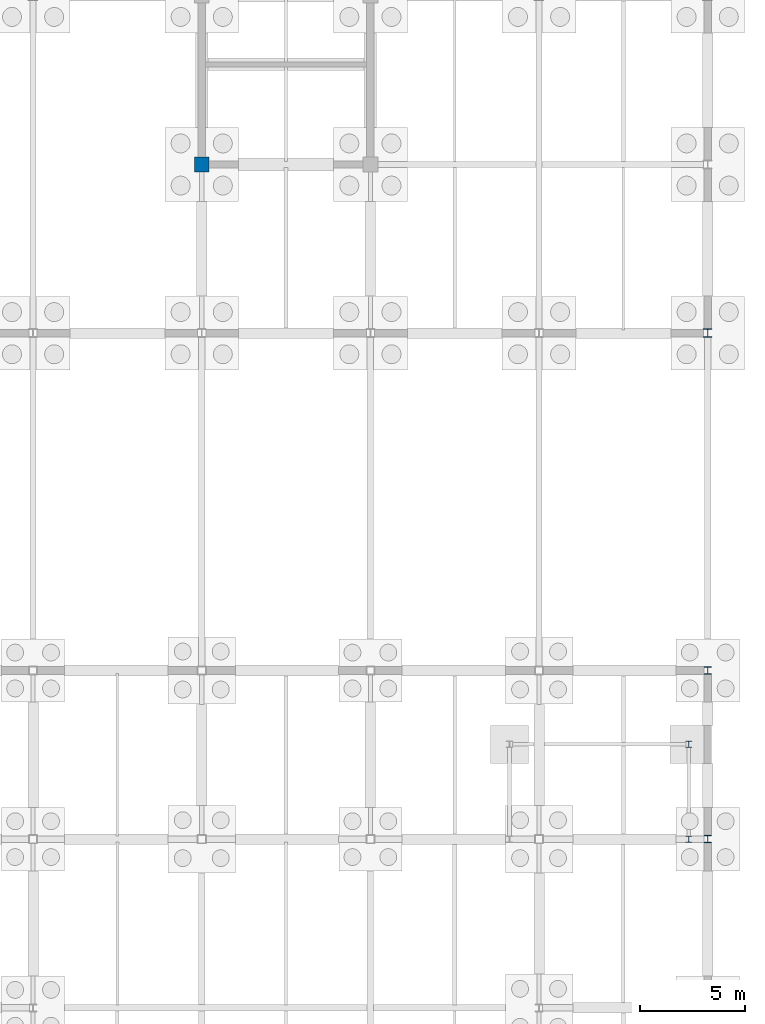
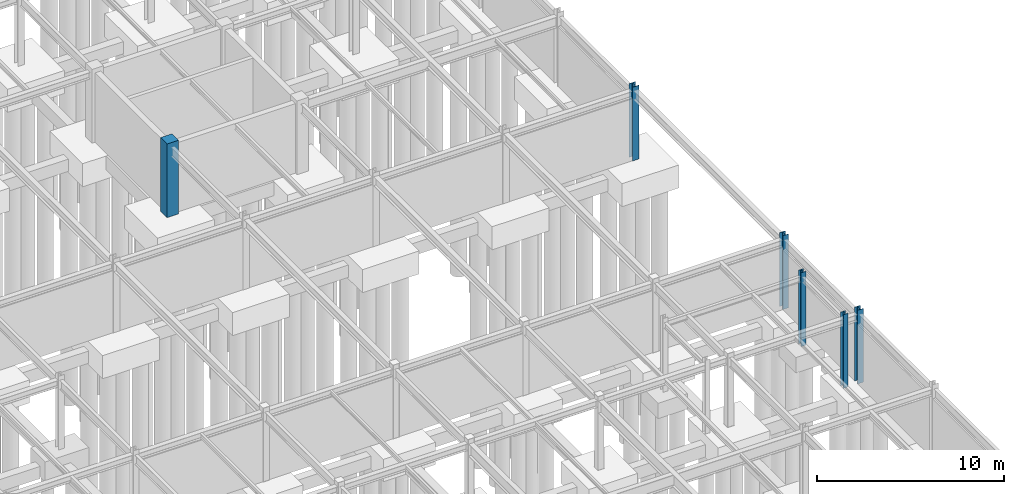
# One storey, part 30 of 72: 6 columns.
"""IFC4 building model written with IfcOpenShell, lengths in metres."""

import ifcopenshell
import ifcopenshell.guid

model = None  # the IFC model being written
_history = None  # IfcOwnerHistory: only IFC2X3 demands one
_inside = {}  # id of a spatial element -> (the spatial element, [elements in it])
_under = {}  # id of a project, library or spatial element -> (it, [spatial elements below it])
_declared = {}  # id of a project -> (the project, [libraries it declares])
_typed = {}  # id of a type object -> (the type object, [elements of that type])
_made_of = {}  # id of a material, layer set ... -> (it, [elements and type objects made of it])


def new_model(schema):
    """Start an empty IFC model of exactly this schema.

    Asked for "IFC4X3", IfcOpenShell would pick the latest addendum, in which some entities
    have other attributes; the version numbers below select the first issue.
    IFC2X3 requires an IfcOwnerHistory on every rooted entity: one is made here for all.
    """
    global model, _history
    if schema == "IFC4X3":
        model = ifcopenshell.file(schema_version=(4, 3, 0, 0))
    else:
        model = ifcopenshell.file(schema=schema)
    _inside.clear()
    _under.clear()
    _declared.clear()
    _typed.clear()
    _made_of.clear()
    _history = None
    if model.schema == "IFC2X3":
        org = make("IfcOrganization", Name="unknown")
        user = make(
            "IfcPersonAndOrganization",
            ThePerson=make("IfcPerson", FamilyName="unknown"),
            TheOrganization=org,
        )
        app = make(
            "IfcApplication",
            ApplicationDeveloper=org,
            Version="unknown",
            ApplicationFullName="unknown",
            ApplicationIdentifier="unknown",
        )
        _history = make(
            "IfcOwnerHistory",
            OwningUser=user,
            OwningApplication=app,
            ChangeAction="ADDED",
            CreationDate=0,
        )
    return model


def make(cls, **values):
    """One entity of the class cls with the attributes given. An attribute that is None is left unset."""
    return model.create_entity(
        cls, **{name: value for name, value in values.items() if value is not None}
    )


def rooted(cls, **values):
    """An entity with a GlobalId (a new one), such as an element, a storey or a relation."""
    return make(cls, GlobalId=ifcopenshell.guid.new(), OwnerHistory=_history, **values)


def si_unit(unit_type, name, prefix=None):
    """IfcSIUnit, for example si_unit("LENGTHUNIT", "METRE", prefix="MILLI")."""
    return make("IfcSIUnit", UnitType=unit_type, Prefix=prefix, Name=name)


def assignment(units):
    """IfcUnitAssignment: the units of a project."""
    return None if units is None else make("IfcUnitAssignment", Units=units)


def point(xyz):
    """IfcCartesianPoint."""
    return None if xyz is None else make("IfcCartesianPoint", Coordinates=xyz)


def direction(xyz):
    """IfcDirection."""
    return None if xyz is None else make("IfcDirection", DirectionRatios=xyz)


def frame(location, z_axis=None, x_axis=None):
    """IfcAxis2Placement3D, a coordinate frame: its origin and axes. An axis left out is left unset."""
    return make(
        "IfcAxis2Placement3D",
        Location=point(location),
        Axis=direction(z_axis),
        RefDirection=direction(x_axis),
    )


def frame_2d(location, x_axis=None):
    """IfcAxis2Placement2D, a coordinate frame in the plane: its origin and x axis."""
    return make(
        "IfcAxis2Placement2D", Location=point(location), RefDirection=direction(x_axis)
    )


def origin():
    """The frame at (0, 0, 0) with its axes left unset."""
    return frame((0.0, 0.0, 0.0))


def origin_2d():
    """The frame at (0, 0) in the plane with its x axis left unset."""
    return frame_2d((0.0, 0.0))


def place(relative_to, where):
    """IfcLocalPlacement: puts the frame where relative to a parent placement (None: the world)."""
    return make(
        "IfcLocalPlacement", PlacementRelTo=relative_to, RelativePlacement=where
    )


def context(
    kind, dimensions, precision=None, world=None, true_north=None, identifier=None
):
    """IfcGeometricRepresentationContext, for example the 3D "Model" context."""
    return make(
        "IfcGeometricRepresentationContext",
        ContextIdentifier=identifier,
        ContextType=kind,
        CoordinateSpaceDimension=dimensions,
        Precision=precision,
        WorldCoordinateSystem=world,
        TrueNorth=true_north,
    )


def subcontext(parent, identifier, kind, view, scale=None):
    """IfcGeometricRepresentationSubContext, for example "Body" below "Model"."""
    return make(
        "IfcGeometricRepresentationSubContext",
        ContextIdentifier=identifier,
        ContextType=kind,
        ParentContext=parent,
        TargetScale=scale,
        TargetView=view,
    )


def project(units=None, contexts=None):
    """IfcProject with its units and contexts."""
    return rooted(
        "IfcProject",
        Name="project",
        RepresentationContexts=contexts,
        UnitsInContext=assignment(units),
    )


def spatial(cls, under=None, at=None, **own):
    """A site, building, storey or space (cls), placed at a placement, below another one or the project."""
    s = rooted(cls, ObjectPlacement=at, **own)
    if under is not None:
        _under.setdefault(under.id(), (under, []))[1].append(s)
    return s


def profile(cls, at=None, kind="AREA", **sizes):
    """A parametric profile (cls). Its sizes go by their IFC names, for example OverallWidth=200.0."""
    return make(cls, ProfileType=kind, Position=at, **sizes)


def rectangle(**sizes):
    """IfcRectangleProfileDef."""
    return profile("IfcRectangleProfileDef", **sizes)


def i_section(**sizes):
    """IfcIShapeProfileDef."""
    return profile("IfcIShapeProfileDef", **sizes)


def extrude(swept, where, along, depth):
    """IfcExtrudedAreaSolid: the profile swept, set in the frame where, extruded along a direction by depth."""
    return make(
        "IfcExtrudedAreaSolid",
        SweptArea=swept,
        Position=where,
        ExtrudedDirection=direction(along),
        Depth=depth,
    )


def shape(context_of_items, identifier, shape_type, items):
    """IfcShapeRepresentation: the items that make up one representation, for example the "Body"."""
    return make(
        "IfcShapeRepresentation",
        ContextOfItems=context_of_items,
        RepresentationIdentifier=identifier,
        RepresentationType=shape_type,
        Items=items,
    )


def material(Name=None, Category=None):
    """IfcMaterial."""
    return make("IfcMaterial", Name=Name, Category=Category)


def material_profile(
    of_material, cross_section, Name=None, Category=None, Priority=None
):
    """IfcMaterialProfile: a cross section and its material."""
    return make(
        "IfcMaterialProfile",
        Name=Name,
        Material=of_material,
        Profile=cross_section,
        Priority=Priority,
        Category=Category,
    )


def profile_set(profiles, Name=None, composite=None):
    """IfcMaterialProfileSet."""
    return make(
        "IfcMaterialProfileSet",
        Name=Name,
        MaterialProfiles=profiles,
        CompositeProfile=composite,
    )


def made_of(thing, what):
    """Note that an element or type object is made of a material, layer set ...; save() writes the relation."""
    if what is not None:
        _made_of.setdefault(what.id(), (what, []))[1].append(thing)
    return thing


def type_object(cls, material=None, **own):
    """A type object (cls), such as IfcWallType, which elements share."""
    return made_of(rooted(cls, **own), material)


def element(
    cls,
    number,
    at=None,
    inside=None,
    cuts=None,
    type_object=None,
    material=None,
    context=None,
    identifier="Body",
    shape_type=None,
    held_by="IfcProductDefinitionShape",
    body=None,
    shapes=None,
    **own,
):
    """One element of the class cls, such as IfcWall. Its Tag is "e" and its number.

    at: its placement. inside: the storey or other place that contains it. cuts: it is an
    opening in that element (IfcRelVoidsElement). A single representation is given by context,
    identifier, shape_type and body (its items); several are given by shapes. held_by: the class
    of the entity that holds the representations. save() writes the other relations.
    """
    e = rooted(cls, Tag="e%d" % number, ObjectPlacement=at, **own)
    if body is not None:
        shapes = [shape(context, identifier, shape_type, body)]
    if shapes is not None:
        e.Representation = make(held_by, Representations=shapes)
    if inside is not None:
        _inside.setdefault(inside.id(), (inside, []))[1].append(e)
    if cuts is not None:
        rooted(
            "IfcRelVoidsElement", RelatingBuildingElement=cuts, RelatedOpeningElement=e
        )
    if type_object is not None:
        _typed.setdefault(type_object.id(), (type_object, []))[1].append(e)
    return made_of(e, material)


def aggregate(whole, parts):
    """IfcRelAggregates: a whole, such as a stair, and the parts it consists of."""
    return rooted("IfcRelAggregates", RelatingObject=whole, RelatedObjects=parts)


def save(model, path):
    """Write the relations noted so far, then the file.

    IfcRelAggregates (storeys below a building ...), IfcRelContainedInSpatialStructure (elements
    in a storey), IfcRelDefinesByType, IfcRelAssociatesMaterial and IfcRelDeclares: one each for
    every whole, place, type object, material and project.
    """
    for whole, parts in _under.values():
        aggregate(whole, parts)
    for where, things in _inside.values():
        rooted(
            "IfcRelContainedInSpatialStructure",
            RelatedElements=things,
            RelatingStructure=where,
        )
    for kind, things in _typed.values():
        rooted("IfcRelDefinesByType", RelatedObjects=things, RelatingType=kind)
    for what, things in _made_of.values():
        rooted("IfcRelAssociatesMaterial", RelatedObjects=things, RelatingMaterial=what)
    for by, libraries in _declared.values():
        rooted("IfcRelDeclares", RelatingContext=by, RelatedDefinitions=libraries)
    model.write(path)


model = new_model("IFC4")

# Units and contexts
model_context = context("Model", 3, precision=1e-05, world=origin(), true_north=direction((0.0, 1.0)))
body_context = subcontext(model_context, "Body", "Model", "MODEL_VIEW")
ifc_project = project(units=[si_unit("LENGTHUNIT", "METRE"), si_unit("AREAUNIT", "SQUARE_METRE"), si_unit("VOLUMEUNIT", "CUBIC_METRE"), si_unit("PLANEANGLEUNIT", "RADIAN"), si_unit("MASSUNIT", "GRAM", prefix="KILO")], contexts=[model_context])

# Site, building, storey
site_placement = place(None, origin())
site = spatial("IfcSite", under=ifc_project, at=site_placement, CompositionType="ELEMENT")
building_placement = place(site_placement, origin())
building = spatial("IfcBuilding", under=site, at=building_placement, Name="Zhaolan Boulevard Law Courts", CompositionType="ELEMENT")
storey_placement = place(building_placement, frame((0.0, 0.0, -4.800048828125)))
storey = spatial("IfcBuildingStorey", under=building, at=storey_placement, Name="B1", CompositionType="ELEMENT", Elevation=-4.800048828125)

# Columns
ifc_material_1 = material(Name="Structural steel Q355B", Category="steel")
ifc_material_profile_1 = material_profile(ifc_material_1, i_section(OverallWidth=0.300048828125, OverallDepth=0.300048828125, WebThickness=0.010009765625, FlangeThickness=0.014892578125, FilletRadius=0.01806640625, at=origin_2d()), Name="HW300x300")
ifc_profile_set_1 = profile_set([ifc_material_profile_1], Name="Structural steel Q355B")
column_type_1 = type_object("IfcColumnType", Name="COL HW300", PredefinedType="COLUMN", material=ifc_profile_set_1)
for number, where, z_axis, x_axis, name in (
    (1, (163.10009765625, 38.0, 0.0), (0.0, 0.0, 1.0), (1.0, 0.0, 0.0), "Stairwell Substructure Column CS-ST07-2"),
    (2, (163.10009765625, 42.5, 0.0), (0.0, 0.0, 1.0), (1.0, 0.0, 0.0), "Stairwell Substructure Column CS-ST07-4"),
):
    element("IfcColumn", number, at=place(storey_placement, frame(where, z_axis=z_axis, x_axis=x_axis)), inside=storey, type_object=column_type_1, Name=name, PredefinedType="COLUMN", context=body_context, shape_type="SweptSolid", body=[
        extrude(i_section(OverallWidth=0.300048828125, OverallDepth=0.300048828125, WebThickness=0.010009765625, FlangeThickness=0.014892578125, FilletRadius=0.01806640625, at=origin_2d()), origin(), (0.0, 0.0, 1.0), 4.800048828125),
    ])
ifc_material_2 = material(Name="Structural steel Q355B", Category="steel")
ifc_material_profile_2 = material_profile(ifc_material_2, i_section(OverallWidth=0.35009765625, OverallDepth=0.35009765625, WebThickness=0.011962890625, FlangeThickness=0.01904296875, FilletRadius=0.02001953125, at=origin_2d()), Name="HW350x350")
ifc_profile_set_2 = profile_set([ifc_material_profile_2], Name="Structural steel Q355B")
column_type_2 = type_object("IfcColumnType", Name="COL HW350", PredefinedType="COLUMN", material=ifc_profile_set_2)
for number, where, z_axis, x_axis, name in (
    (3, (164.0, 38.0, 0.0), (0.0, 0.0, 1.0), (1.0, 0.0, 0.0), "Column C-21F (B1)"),
    (4, (164.0, 46.0, 0.0), (0.0, 0.0, 1.0), (1.0, 0.0, 0.0), "Column C-21G (B1)"),
):
    element("IfcColumn", number, at=place(storey_placement, frame(where, z_axis=z_axis, x_axis=x_axis)), inside=storey, type_object=column_type_2, Name=name, PredefinedType="COLUMN", context=body_context, shape_type="SweptSolid", body=[
        extrude(i_section(OverallWidth=0.35009765625, OverallDepth=0.35009765625, WebThickness=0.011962890625, FlangeThickness=0.01904296875, FilletRadius=0.02001953125, at=origin_2d()), origin(), (0.0, 0.0, 1.0), 4.800048828125),
    ])
ifc_material_3 = material(Name="Structural steel Q390B", Category="steel")
ifc_material_profile_3 = material_profile(ifc_material_3, i_section(OverallWidth=0.39990234375, OverallDepth=0.39990234375, WebThickness=0.012939453125, FlangeThickness=0.02099609375, FilletRadius=0.02197265625, at=origin_2d()), Name="HW400x400")
ifc_profile_set_3 = profile_set([ifc_material_profile_3], Name="Structural steel Q390B")
column_type_3 = type_object("IfcColumnType", Name="COL HW400", PredefinedType="COLUMN", material=ifc_profile_set_3)
column_1_placement = place(storey_placement, frame((164.0, 62.0, 0.0), z_axis=(0.0, 0.0, 1.0), x_axis=(1.0, 0.0, 0.0)))
element("IfcColumn", 5, at=column_1_placement, inside=storey, type_object=column_type_3, Name="Column C-21J (B1)", PredefinedType="COLUMN", context=body_context, shape_type="SweptSolid", body=[
    extrude(i_section(OverallWidth=0.39990234375, OverallDepth=0.39990234375, WebThickness=0.012939453125, FlangeThickness=0.02099609375, FilletRadius=0.02197265625, at=origin_2d()), origin(), (0.0, 0.0, 1.0), 4.800048828125),
])
ifc_material_4 = material(Name="Concrete C50", Category="concrete")
ifc_material_profile_4 = material_profile(ifc_material_4, rectangle(XDim=0.699951171875, YDim=0.699951171875, at=origin_2d()), Name="RC700x700")
ifc_profile_set_4 = profile_set([ifc_material_profile_4], Name="Concrete C50")
column_type_4 = type_object("IfcColumnType", Name="COL RC700", PredefinedType="COLUMN", material=ifc_profile_set_4)
column_2_placement = place(storey_placement, frame((140.0, 70.0, 0.0), z_axis=(0.0, 0.0, 1.0), x_axis=(1.0, 0.0, 0.0)))
element("IfcColumn", 6, at=column_2_placement, inside=storey, type_object=column_type_4, Name="Column C-18K (B1)", PredefinedType="COLUMN", context=body_context, shape_type="SweptSolid", body=[
    extrude(rectangle(XDim=0.699951171875, YDim=0.699951171875, at=origin_2d()), origin(), (0.0, 0.0, 1.0), 4.800048828125),
])

save(model, "model.ifc")
